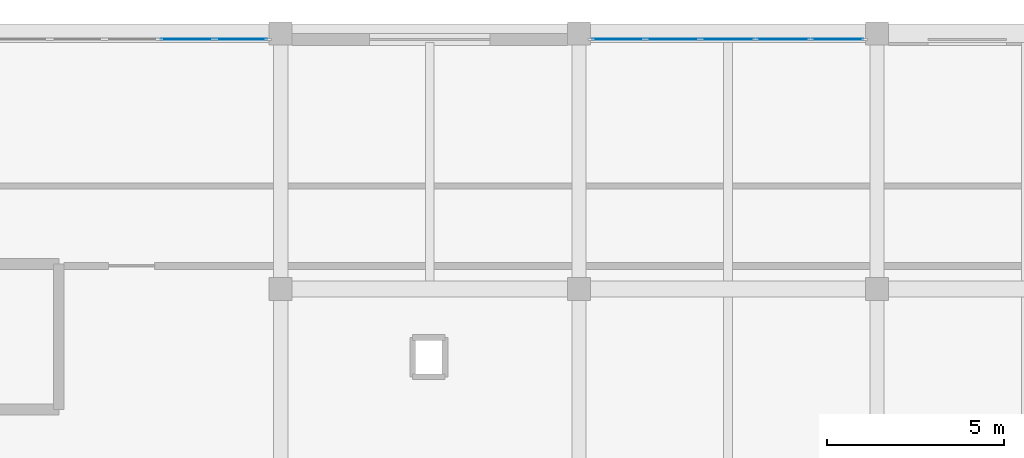
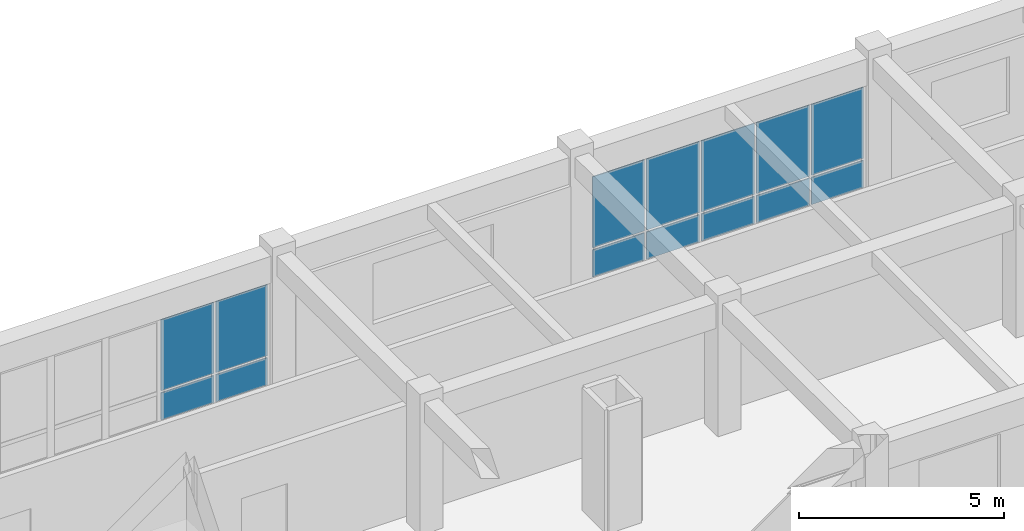
# One storey, part 123 of 147: 14 plates, 2 elements without a shape of their own.
"""IFC4 building model written with IfcOpenShell, lengths in metres."""

import ifcopenshell
import ifcopenshell.guid

model = None  # the IFC model being written
_history = None  # IfcOwnerHistory: only IFC2X3 demands one
_inside = {}  # id of a spatial element -> (the spatial element, [elements in it])
_under = {}  # id of a project, library or spatial element -> (it, [spatial elements below it])
_declared = {}  # id of a project -> (the project, [libraries it declares])
_typed = {}  # id of a type object -> (the type object, [elements of that type])
_made_of = {}  # id of a material, layer set ... -> (it, [elements and type objects made of it])


def new_model(schema):
    """Start an empty IFC model of exactly this schema.

    Asked for "IFC4X3", IfcOpenShell would pick the latest addendum, in which some entities
    have other attributes; the version numbers below select the first issue.
    IFC2X3 requires an IfcOwnerHistory on every rooted entity: one is made here for all.
    """
    global model, _history
    if schema == "IFC4X3":
        model = ifcopenshell.file(schema_version=(4, 3, 0, 0))
    else:
        model = ifcopenshell.file(schema=schema)
    _inside.clear()
    _under.clear()
    _declared.clear()
    _typed.clear()
    _made_of.clear()
    _history = None
    if model.schema == "IFC2X3":
        org = make("IfcOrganization", Name="unknown")
        user = make(
            "IfcPersonAndOrganization",
            ThePerson=make("IfcPerson", FamilyName="unknown"),
            TheOrganization=org,
        )
        app = make(
            "IfcApplication",
            ApplicationDeveloper=org,
            Version="unknown",
            ApplicationFullName="unknown",
            ApplicationIdentifier="unknown",
        )
        _history = make(
            "IfcOwnerHistory",
            OwningUser=user,
            OwningApplication=app,
            ChangeAction="ADDED",
            CreationDate=0,
        )
    return model


def make(cls, **values):
    """One entity of the class cls with the attributes given. An attribute that is None is left unset."""
    return model.create_entity(
        cls, **{name: value for name, value in values.items() if value is not None}
    )


def rooted(cls, **values):
    """An entity with a GlobalId (a new one), such as an element, a storey or a relation."""
    return make(cls, GlobalId=ifcopenshell.guid.new(), OwnerHistory=_history, **values)


def si_unit(unit_type, name, prefix=None):
    """IfcSIUnit, for example si_unit("LENGTHUNIT", "METRE", prefix="MILLI")."""
    return make("IfcSIUnit", UnitType=unit_type, Prefix=prefix, Name=name)


def assignment(units):
    """IfcUnitAssignment: the units of a project."""
    return None if units is None else make("IfcUnitAssignment", Units=units)


def point(xyz):
    """IfcCartesianPoint."""
    return None if xyz is None else make("IfcCartesianPoint", Coordinates=xyz)


def direction(xyz):
    """IfcDirection."""
    return None if xyz is None else make("IfcDirection", DirectionRatios=xyz)


def frame(location, z_axis=None, x_axis=None):
    """IfcAxis2Placement3D, a coordinate frame: its origin and axes. An axis left out is left unset."""
    return make(
        "IfcAxis2Placement3D",
        Location=point(location),
        Axis=direction(z_axis),
        RefDirection=direction(x_axis),
    )


def frame_2d(location, x_axis=None):
    """IfcAxis2Placement2D, a coordinate frame in the plane: its origin and x axis."""
    return make(
        "IfcAxis2Placement2D", Location=point(location), RefDirection=direction(x_axis)
    )


def origin():
    """The frame at (0, 0, 0) with its axes left unset."""
    return frame((0.0, 0.0, 0.0))


def origin_2d():
    """The frame at (0, 0) in the plane with its x axis left unset."""
    return frame_2d((0.0, 0.0))


def place(relative_to, where):
    """IfcLocalPlacement: puts the frame where relative to a parent placement (None: the world)."""
    return make(
        "IfcLocalPlacement", PlacementRelTo=relative_to, RelativePlacement=where
    )


def context(
    kind, dimensions, precision=None, world=None, true_north=None, identifier=None
):
    """IfcGeometricRepresentationContext, for example the 3D "Model" context."""
    return make(
        "IfcGeometricRepresentationContext",
        ContextIdentifier=identifier,
        ContextType=kind,
        CoordinateSpaceDimension=dimensions,
        Precision=precision,
        WorldCoordinateSystem=world,
        TrueNorth=true_north,
    )


def subcontext(parent, identifier, kind, view, scale=None):
    """IfcGeometricRepresentationSubContext, for example "Body" below "Model"."""
    return make(
        "IfcGeometricRepresentationSubContext",
        ContextIdentifier=identifier,
        ContextType=kind,
        ParentContext=parent,
        TargetScale=scale,
        TargetView=view,
    )


def project(units=None, contexts=None):
    """IfcProject with its units and contexts."""
    return rooted(
        "IfcProject",
        Name="project",
        RepresentationContexts=contexts,
        UnitsInContext=assignment(units),
    )


def spatial(cls, under=None, at=None, **own):
    """A site, building, storey or space (cls), placed at a placement, below another one or the project."""
    s = rooted(cls, ObjectPlacement=at, **own)
    if under is not None:
        _under.setdefault(under.id(), (under, []))[1].append(s)
    return s


def profile(cls, at=None, kind="AREA", **sizes):
    """A parametric profile (cls). Its sizes go by their IFC names, for example OverallWidth=200.0."""
    return make(cls, ProfileType=kind, Position=at, **sizes)


def rectangle(**sizes):
    """IfcRectangleProfileDef."""
    return profile("IfcRectangleProfileDef", **sizes)


def extrude(swept, where, along, depth):
    """IfcExtrudedAreaSolid: the profile swept, set in the frame where, extruded along a direction by depth."""
    return make(
        "IfcExtrudedAreaSolid",
        SweptArea=swept,
        Position=where,
        ExtrudedDirection=direction(along),
        Depth=depth,
    )


def shape(context_of_items, identifier, shape_type, items):
    """IfcShapeRepresentation: the items that make up one representation, for example the "Body"."""
    return make(
        "IfcShapeRepresentation",
        ContextOfItems=context_of_items,
        RepresentationIdentifier=identifier,
        RepresentationType=shape_type,
        Items=items,
    )


def material(Name=None, Category=None):
    """IfcMaterial."""
    return make("IfcMaterial", Name=Name, Category=Category)


def layer(
    of_material, thickness, ventilated=None, Name=None, Category=None, Priority=None
):
    """IfcMaterialLayer: one layer of a wall or slab, of a material (None: an air gap)."""
    return make(
        "IfcMaterialLayer",
        Material=of_material,
        LayerThickness=thickness,
        IsVentilated=ventilated,
        Name=Name,
        Category=Category,
        Priority=Priority,
    )


def layer_set(layers, Name=None):
    """IfcMaterialLayerSet."""
    return make("IfcMaterialLayerSet", MaterialLayers=layers, LayerSetName=Name)


def made_of(thing, what):
    """Note that an element or type object is made of a material, layer set ...; save() writes the relation."""
    if what is not None:
        _made_of.setdefault(what.id(), (what, []))[1].append(thing)
    return thing


def type_object(cls, material=None, **own):
    """A type object (cls), such as IfcWallType, which elements share."""
    return made_of(rooted(cls, **own), material)


def element(
    cls,
    number,
    at=None,
    inside=None,
    cuts=None,
    type_object=None,
    material=None,
    context=None,
    identifier="Body",
    shape_type=None,
    held_by="IfcProductDefinitionShape",
    body=None,
    shapes=None,
    **own,
):
    """One element of the class cls, such as IfcWall. Its Tag is "e" and its number.

    at: its placement. inside: the storey or other place that contains it. cuts: it is an
    opening in that element (IfcRelVoidsElement). A single representation is given by context,
    identifier, shape_type and body (its items); several are given by shapes. held_by: the class
    of the entity that holds the representations. save() writes the other relations.
    """
    e = rooted(cls, Tag="e%d" % number, ObjectPlacement=at, **own)
    if body is not None:
        shapes = [shape(context, identifier, shape_type, body)]
    if shapes is not None:
        e.Representation = make(held_by, Representations=shapes)
    if inside is not None:
        _inside.setdefault(inside.id(), (inside, []))[1].append(e)
    if cuts is not None:
        rooted(
            "IfcRelVoidsElement", RelatingBuildingElement=cuts, RelatedOpeningElement=e
        )
    if type_object is not None:
        _typed.setdefault(type_object.id(), (type_object, []))[1].append(e)
    return made_of(e, material)


def aggregate(whole, parts):
    """IfcRelAggregates: a whole, such as a stair, and the parts it consists of."""
    return rooted("IfcRelAggregates", RelatingObject=whole, RelatedObjects=parts)


def save(model, path):
    """Write the relations noted so far, then the file.

    IfcRelAggregates (storeys below a building ...), IfcRelContainedInSpatialStructure (elements
    in a storey), IfcRelDefinesByType, IfcRelAssociatesMaterial and IfcRelDeclares: one each for
    every whole, place, type object, material and project.
    """
    for whole, parts in _under.values():
        aggregate(whole, parts)
    for where, things in _inside.values():
        rooted(
            "IfcRelContainedInSpatialStructure",
            RelatedElements=things,
            RelatingStructure=where,
        )
    for kind, things in _typed.values():
        rooted("IfcRelDefinesByType", RelatedObjects=things, RelatingType=kind)
    for what, things in _made_of.values():
        rooted("IfcRelAssociatesMaterial", RelatedObjects=things, RelatingMaterial=what)
    for by, libraries in _declared.values():
        rooted("IfcRelDeclares", RelatingContext=by, RelatedDefinitions=libraries)
    model.write(path)


model = new_model("IFC4")

# Units and contexts
model_context = context("Model", 3, precision=1e-05, world=origin(), true_north=direction((0.0, 1.0)))
body_context = subcontext(model_context, "Body", "Model", "MODEL_VIEW")
ifc_project = project(units=[si_unit("LENGTHUNIT", "METRE"), si_unit("AREAUNIT", "SQUARE_METRE"), si_unit("VOLUMEUNIT", "CUBIC_METRE"), si_unit("PLANEANGLEUNIT", "RADIAN"), si_unit("MASSUNIT", "GRAM", prefix="KILO")], contexts=[model_context])

# Site, building, storey
site_placement = place(None, origin())
site = spatial("IfcSite", under=ifc_project, at=site_placement, CompositionType="ELEMENT")
building_placement = place(site_placement, origin())
building = spatial("IfcBuilding", under=site, at=building_placement, Name="Malvenik Polytechnic", CompositionType="ELEMENT")
storey_placement = place(building_placement, frame((0.0, 0.0, 5.10009765625)))
storey = spatial("IfcBuildingStorey", under=building, at=storey_placement, Name="L01", CompositionType="ELEMENT", Elevation=5.10009765625)

# Curtain wall, plates
ifc_material_1 = material(Name="Anodised aluminium 6060-T6", Category="aluminium")
curtain_wall_type = type_object("IfcCurtainWallType", Name="ARC-CW-CW-02", PredefinedType="NOTDEFINED", material=ifc_material_1)
curtain_wall_1_placement = place(storey_placement, origin())
curtain_wall_1 = element("IfcCurtainWall", 1, at=curtain_wall_1_placement, inside=storey, type_object=curtain_wall_type, Name="Unitised Curtain Wall CW-02 L01 #51", PredefinedType="NOTDEFINED")
ifc_material_2 = material(Name="Insulated low-E double glazing 8-16-8", Category="glass")
ifc_layer_1 = layer(ifc_material_2, 0.028076171875)
ifc_layer_set_1 = layer_set([ifc_layer_1], Name="Insulated low-E double glazing 8-16-8")
plate_type_1 = type_object("IfcPlateType", Name="ARC-CWP-CP-GLZ28", PredefinedType="CURTAIN_PANEL", material=ifc_layer_set_1)
plate_1_placement = place(storey_placement, frame((106.558349609375, 129.429931640625, 0.929931640625), z_axis=(0.0, 0.0, 1.0), x_axis=(1.0, 0.0, 0.0)))
plate_1 = element("IfcPlate", 2, at=plate_1_placement, type_object=plate_type_1, Name="CW-02 panel 4.2", PredefinedType="CURTAIN_PANEL", context=body_context, shape_type="SweptSolid", body=[
    extrude(rectangle(XDim=1.48583984375, YDim=0.028076171875, at=origin_2d()), origin(), (0.0, 0.0, 1.0), 2.1201171875),
])
plate_2_placement = place(storey_placement, frame((108.089111328125, 129.429931640625, 0.929931640625), z_axis=(0.0, 0.0, 1.0), x_axis=(1.0, 0.0, 0.0)))
plate_2 = element("IfcPlate", 3, at=plate_2_placement, type_object=plate_type_1, Name="CW-02 panel 5.2", PredefinedType="CURTAIN_PANEL", context=body_context, shape_type="SweptSolid", body=[
    extrude(rectangle(XDim=1.455810546875, YDim=0.028076171875, at=origin_2d()), origin(), (0.0, 0.0, 1.0), 2.1201171875),
])

curtain_wall_2_placement = place(storey_placement, origin())
curtain_wall_2 = element("IfcCurtainWall", 4, at=curtain_wall_2_placement, inside=storey, type_object=curtain_wall_type, Name="Unitised Curtain Wall CW-02 L01 #52", PredefinedType="NOTDEFINED")
plate_3_placement = place(storey_placement, frame((118.71337890625, 129.429931640625, 0.929931640625), z_axis=(0.0, 0.0, 1.0), x_axis=(1.0, 0.0, 0.0)))
plate_3 = element("IfcPlate", 5, at=plate_3_placement, type_object=plate_type_1, Name="CW-02 panel 1.2", PredefinedType="CURTAIN_PANEL", context=body_context, shape_type="SweptSolid", body=[
    extrude(rectangle(XDim=1.460693359375, YDim=0.028076171875, at=origin_2d()), origin(), (0.0, 0.0, 1.0), 2.1201171875),
])
plate_4_placement = place(storey_placement, frame((120.249267578125, 129.429931640625, 0.929931640625), z_axis=(0.0, 0.0, 1.0), x_axis=(1.0, 0.0, 0.0)))
plate_4 = element("IfcPlate", 6, at=plate_4_placement, type_object=plate_type_1, Name="CW-02 panel 2.2", PredefinedType="CURTAIN_PANEL", context=body_context, shape_type="SweptSolid", body=[
    extrude(rectangle(XDim=1.49072265625, YDim=0.028076171875, at=origin_2d()), origin(), (0.0, 0.0, 1.0), 2.1201171875),
])
plate_5_placement = place(storey_placement, frame((121.800048828125, 129.429931640625, 0.929931640625), z_axis=(0.0, 0.0, 1.0), x_axis=(1.0, 0.0, 0.0)))
plate_5 = element("IfcPlate", 7, at=plate_5_placement, type_object=plate_type_1, Name="CW-02 panel 3.2", PredefinedType="CURTAIN_PANEL", context=body_context, shape_type="SweptSolid", body=[
    extrude(rectangle(XDim=1.49072265625, YDim=0.028076171875, at=origin_2d()), origin(), (0.0, 0.0, 1.0), 2.1201171875),
])
plate_6_placement = place(storey_placement, frame((123.350830078125, 129.429931640625, 0.929931640625), z_axis=(0.0, 0.0, 1.0), x_axis=(1.0, 0.0, 0.0)))
plate_6 = element("IfcPlate", 8, at=plate_6_placement, type_object=plate_type_1, Name="CW-02 panel 4.2", PredefinedType="CURTAIN_PANEL", context=body_context, shape_type="SweptSolid", body=[
    extrude(rectangle(XDim=1.49072265625, YDim=0.028076171875, at=origin_2d()), origin(), (0.0, 0.0, 1.0), 2.1201171875),
])
plate_7_placement = place(storey_placement, frame((124.88671875, 129.429931640625, 0.929931640625), z_axis=(0.0, 0.0, 1.0), x_axis=(1.0, 0.0, 0.0)))
plate_7 = element("IfcPlate", 9, at=plate_7_placement, type_object=plate_type_1, Name="CW-02 panel 5.2", PredefinedType="CURTAIN_PANEL", context=body_context, shape_type="SweptSolid", body=[
    extrude(rectangle(XDim=1.460693359375, YDim=0.028076171875, at=origin_2d()), origin(), (0.0, 0.0, 1.0), 2.1201171875),
])

# Plate
ifc_material_3 = material(Name="Insulated aluminium spandrel cassette 42mm", Category="aluminium")
ifc_layer_2 = layer(ifc_material_3, 0.0419921875)
ifc_layer_set_2 = layer_set([ifc_layer_2], Name="Insulated aluminium spandrel cassette 42mm")
plate_type_2 = type_object("IfcPlateType", Name="ARC-CWP-CP-SPN42", PredefinedType="CURTAIN_PANEL", material=ifc_layer_set_2)
plate_8_placement = place(storey_placement, frame((106.558349609375, 129.429931640625, 0.059814453125), z_axis=(0.0, 0.0, 1.0), x_axis=(1.0, 0.0, 0.0)))
plate_8 = element("IfcPlate", 10, at=plate_8_placement, type_object=plate_type_2, Name="CW-02 panel 4.1", PredefinedType="CURTAIN_PANEL", context=body_context, shape_type="SweptSolid", body=[
    extrude(rectangle(XDim=1.48583984375, YDim=0.028076171875, at=origin_2d()), origin(), (0.0, 0.0, 1.0), 0.81005859375),
])

plate_9_placement = place(storey_placement, frame((108.089111328125, 129.429931640625, 0.059814453125), z_axis=(0.0, 0.0, 1.0), x_axis=(1.0, 0.0, 0.0)))
plate_9 = element("IfcPlate", 11, at=plate_9_placement, type_object=plate_type_2, Name="CW-02 panel 5.1", PredefinedType="CURTAIN_PANEL", context=body_context, shape_type="SweptSolid", body=[
    extrude(rectangle(XDim=1.455810546875, YDim=0.028076171875, at=origin_2d()), origin(), (0.0, 0.0, 1.0), 0.81005859375),
])

aggregate(curtain_wall_1, [plate_8, plate_1, plate_9, plate_2])

plate_10_placement = place(storey_placement, frame((118.71337890625, 129.429931640625, 0.059814453125), z_axis=(0.0, 0.0, 1.0), x_axis=(1.0, 0.0, 0.0)))
plate_10 = element("IfcPlate", 12, at=plate_10_placement, type_object=plate_type_2, Name="CW-02 panel 1.1", PredefinedType="CURTAIN_PANEL", context=body_context, shape_type="SweptSolid", body=[
    extrude(rectangle(XDim=1.460693359375, YDim=0.028076171875, at=origin_2d()), origin(), (0.0, 0.0, 1.0), 0.81005859375),
])

plate_11_placement = place(storey_placement, frame((120.249267578125, 129.429931640625, 0.059814453125), z_axis=(0.0, 0.0, 1.0), x_axis=(1.0, 0.0, 0.0)))
plate_11 = element("IfcPlate", 13, at=plate_11_placement, type_object=plate_type_2, Name="CW-02 panel 2.1", PredefinedType="CURTAIN_PANEL", context=body_context, shape_type="SweptSolid", body=[
    extrude(rectangle(XDim=1.49072265625, YDim=0.028076171875, at=origin_2d()), origin(), (0.0, 0.0, 1.0), 0.81005859375),
])

plate_12_placement = place(storey_placement, frame((121.800048828125, 129.429931640625, 0.059814453125), z_axis=(0.0, 0.0, 1.0), x_axis=(1.0, 0.0, 0.0)))
plate_12 = element("IfcPlate", 14, at=plate_12_placement, type_object=plate_type_2, Name="CW-02 panel 3.1", PredefinedType="CURTAIN_PANEL", context=body_context, shape_type="SweptSolid", body=[
    extrude(rectangle(XDim=1.49072265625, YDim=0.028076171875, at=origin_2d()), origin(), (0.0, 0.0, 1.0), 0.81005859375),
])

plate_13_placement = place(storey_placement, frame((123.350830078125, 129.429931640625, 0.059814453125), z_axis=(0.0, 0.0, 1.0), x_axis=(1.0, 0.0, 0.0)))
plate_13 = element("IfcPlate", 15, at=plate_13_placement, type_object=plate_type_2, Name="CW-02 panel 4.1", PredefinedType="CURTAIN_PANEL", context=body_context, shape_type="SweptSolid", body=[
    extrude(rectangle(XDim=1.49072265625, YDim=0.028076171875, at=origin_2d()), origin(), (0.0, 0.0, 1.0), 0.81005859375),
])

plate_14_placement = place(storey_placement, frame((124.88671875, 129.429931640625, 0.059814453125), z_axis=(0.0, 0.0, 1.0), x_axis=(1.0, 0.0, 0.0)))
plate_14 = element("IfcPlate", 16, at=plate_14_placement, type_object=plate_type_2, Name="CW-02 panel 5.1", PredefinedType="CURTAIN_PANEL", context=body_context, shape_type="SweptSolid", body=[
    extrude(rectangle(XDim=1.460693359375, YDim=0.028076171875, at=origin_2d()), origin(), (0.0, 0.0, 1.0), 0.81005859375),
])

aggregate(curtain_wall_2, [plate_10, plate_3, plate_11, plate_4, plate_12, plate_5, plate_13, plate_6, plate_14, plate_7])

save(model, "model.ifc")
